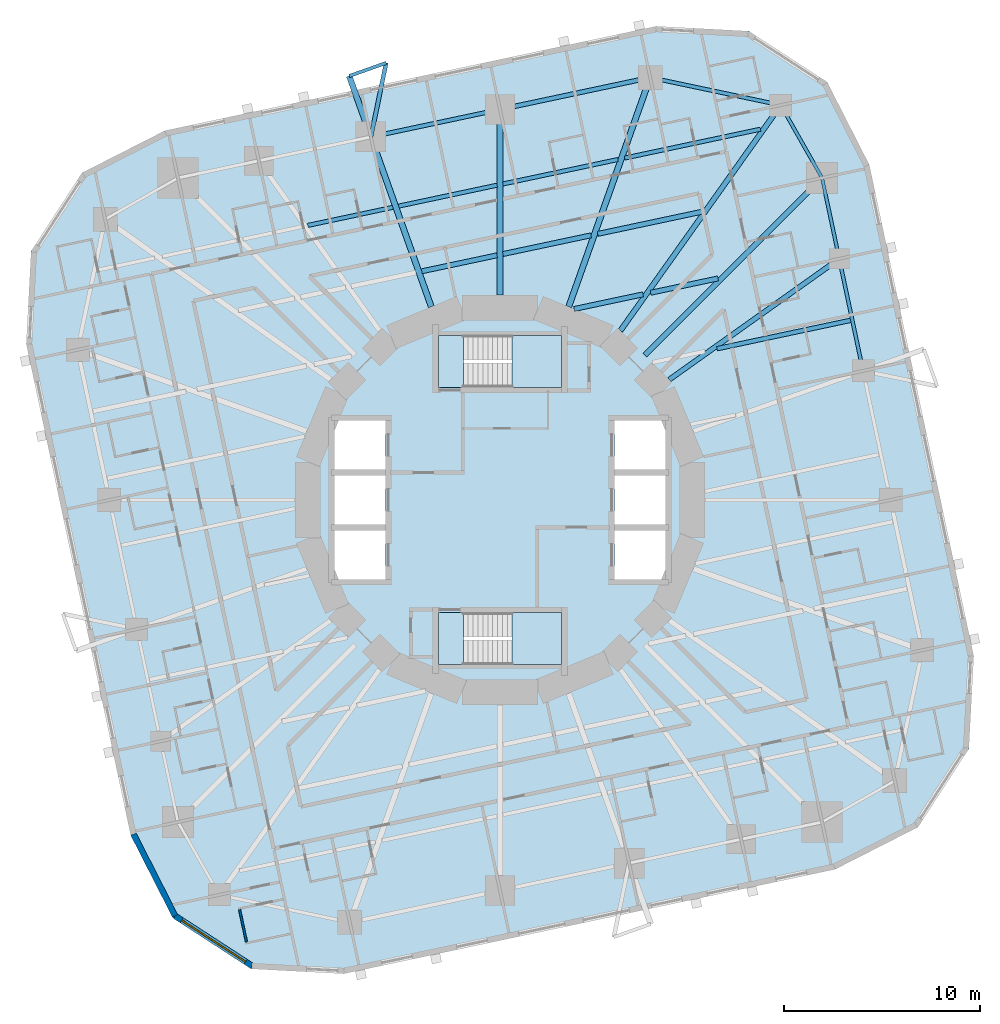
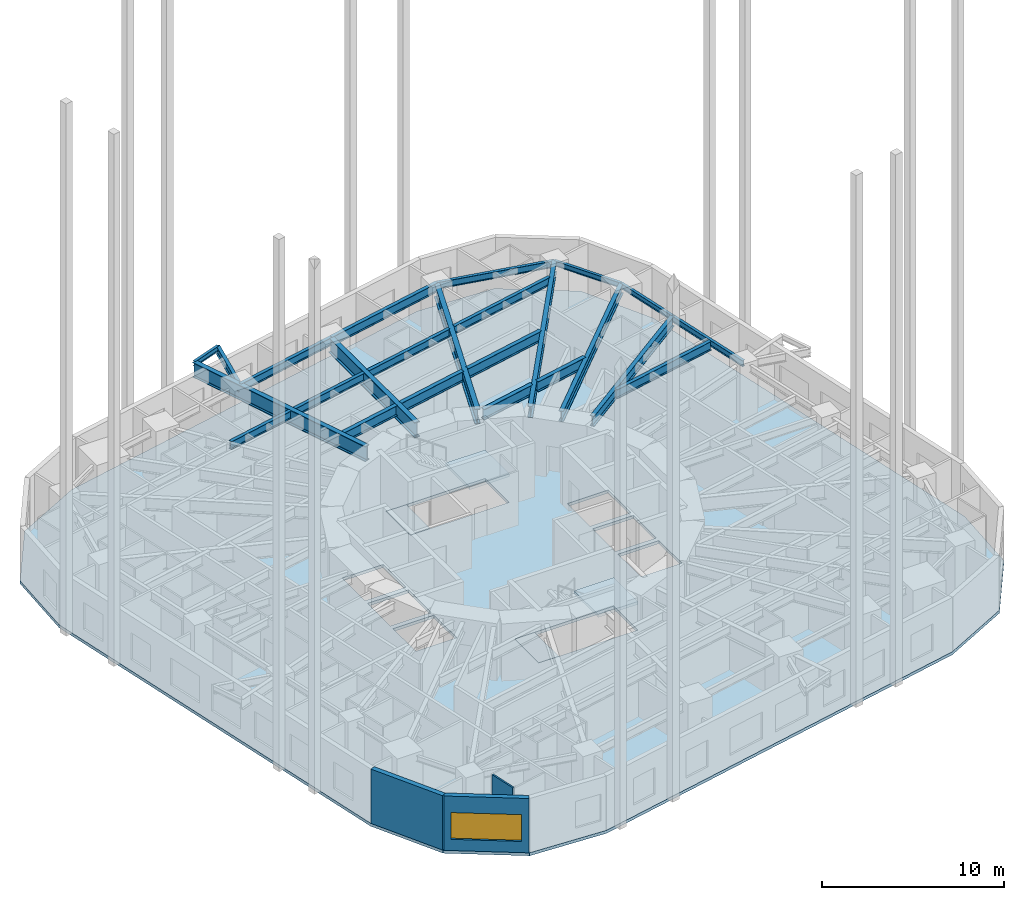
# One storey, part 3 of 12: 24 beams, 5 slabs, 3 walls, 1 window, 1 opening, 2 elements without a shape of their own.
"""IFC4 building model written with IfcOpenShell, lengths in metres."""

from ifc_helpers import new_model, si_unit, direction, frame, frame_2d, origin, origin_2d, place, context, subcontext, project, spatial, polyline, rectangle, i_section, outline, extrude, material, layer, layer_set, material_profile, profile_set, type_object, element, fill, aggregate, save


model = new_model("IFC4")

# Units and contexts
model_context = context("Model", 3, precision=1e-05, world=origin(), true_north=direction((0.0, 1.0)))
body_context = subcontext(model_context, "Body", "Model", "MODEL_VIEW")
ifc_project = project(units=[si_unit("LENGTHUNIT", "METRE"), si_unit("AREAUNIT", "SQUARE_METRE"), si_unit("VOLUMEUNIT", "CUBIC_METRE"), si_unit("PLANEANGLEUNIT", "RADIAN"), si_unit("MASSUNIT", "GRAM", prefix="KILO")], contexts=[model_context])

# Site, building, storey
site_placement = place(None, origin())
site = spatial("IfcSite", under=ifc_project, at=site_placement, CompositionType="ELEMENT")
building_placement = place(site_placement, origin())
building = spatial("IfcBuilding", under=site, at=building_placement, Name="Nakasero Lantern House", CompositionType="ELEMENT")
storey_placement = place(building_placement, frame((0.0, 0.0, 101.14990234375)))
storey = spatial("IfcBuildingStorey", under=building, at=storey_placement, Name="L24", CompositionType="ELEMENT", Elevation=101.14990234375)

# Beams
ifc_material_1 = material(Name="Steel S355", Category="steel")
ifc_material_profile_1 = material_profile(ifc_material_1, i_section(OverallWidth=0.2138671875, OverallDepth=0.549072265625, WebThickness=0.0146484375, FlangeThickness=0.023681640625, FilletRadius=0.0126953125, at=origin_2d()), Name="UB 533x210x138")
ifc_profile_set_1 = profile_set([ifc_material_profile_1], Name="Steel S355")
beam_type_1 = type_object("IfcBeamType", Name="Balcony splay beam UB 533x210x138", PredefinedType="BEAM", material=ifc_profile_set_1)
beam_1_placement = place(storey_placement, frame((-6.590087890625, 18.534912109375, 3.37548828125), z_axis=(0.201831438605, 0.979420272605, 0.0), x_axis=(-0.979420272605, 0.201831438605, 0.0)))
element("IfcBeam", 1, at=beam_1_placement, inside=storey, type_object=beam_type_1, Name="Balcony splay beam L25 B3-C10A", PredefinedType="BEAM", context=body_context, shape_type="SweptSolid", body=[
    extrude(i_section(OverallWidth=0.2138671875, OverallDepth=0.549072265625, WebThickness=0.0146484375, FlangeThickness=0.023681640625, FilletRadius=0.0126953125, at=origin_2d()), origin(), (0.0, 0.0, 1.0), 3.858642578125),
])
ifc_material_2 = material(Name="Steel S355", Category="steel")
ifc_material_profile_2 = material_profile(ifc_material_2, i_section(OverallWidth=0.17138671875, OverallDepth=0.35498046875, WebThickness=0.00732421875, FlangeThickness=0.011474609375, FilletRadius=0.01025390625, at=origin_2d()), Name="UB 356x171x51")
ifc_profile_set_2 = profile_set([ifc_material_profile_2], Name="Steel S355")
beam_type_2 = type_object("IfcBeamType", Name="Balcony tie beam UB 356x171x51", PredefinedType="BEAM", material=ifc_profile_set_2)
beam_2_placement = place(storey_placement, frame((-5.811279296875, 22.314208984375, 3.47265625), z_axis=(-0.942196708721, -0.335060236487, 0.0), x_axis=(0.335060236487, -0.942196708721, 0.0)))
element("IfcBeam", 2, at=beam_2_placement, inside=storey, type_object=beam_type_2, Name="Balcony tie beam L25 B3-C10", PredefinedType="BEAM", context=body_context, shape_type="SweptSolid", body=[
    extrude(i_section(OverallWidth=0.17138671875, OverallDepth=0.35498046875, WebThickness=0.00732421875, FlangeThickness=0.011474609375, FilletRadius=0.01025390625, at=origin_2d()), origin(), (0.0, 0.0, 1.0), 2.000244140625),
])
ifc_material_3 = material(Name="Steel S355", Category="steel")
ifc_material_profile_3 = material_profile(ifc_material_3, i_section(OverallWidth=0.2099609375, OverallDepth=0.53662109375, WebThickness=0.0107421875, FlangeThickness=0.017333984375, FilletRadius=0.0126953125, at=origin_2d()), Name="UB 533x210x101")
ifc_profile_set_3 = profile_set([ifc_material_profile_3], Name="Steel S355")
beam_type_3 = type_object("IfcBeamType", Name="Infill beam UB 533x210x101", PredefinedType="JOIST", material=ifc_profile_set_3)
beam_3_placement = place(storey_placement, frame((-9.810302734375, 14.0166015625, 3.3818359375), z_axis=(0.978147380557, 0.207912726665, 0.0), x_axis=(-0.207912726665, 0.978147380557, 0.0)))
element("IfcBeam", 3, at=beam_3_placement, inside=storey, type_object=beam_type_3, Name="Infill beam L25 12.4", PredefinedType="JOIST", context=body_context, shape_type="SweptSolid", body=[
    extrude(i_section(OverallWidth=0.2099609375, OverallDepth=0.53662109375, WebThickness=0.0107421875, FlangeThickness=0.017333984375, FilletRadius=0.0126953125, at=origin_2d()), origin(), (0.0, 0.0, 1.0), 4.436279296875),
])
beam_4_placement = place(storey_placement, frame((-5.1748046875, 15.001953125, 3.3818359375), z_axis=(0.978150996649, 0.20789571365, 0.0), x_axis=(-0.20789571365, 0.978150996649, 0.0)))
element("IfcBeam", 4, at=beam_4_placement, inside=storey, type_object=beam_type_3, Name="Infill beam L25 12.5", PredefinedType="JOIST", context=body_context, shape_type="SweptSolid", body=[
    extrude(i_section(OverallWidth=0.2099609375, OverallDepth=0.53662109375, WebThickness=0.0107421875, FlangeThickness=0.017333984375, FilletRadius=0.0126953125, at=origin_2d()), origin(), (0.0, 0.0, 1.0), 5.135498046875),
])
beam_5_placement = place(storey_placement, frame((0.151611328125, 16.134033203125, 3.3818359375), z_axis=(0.97814819896, 0.207908876365, 0.0), x_axis=(-0.207908876365, 0.97814819896, 0.0)))
element("IfcBeam", 5, at=beam_5_placement, inside=storey, type_object=beam_type_3, Name="Infill beam L25 12.6", PredefinedType="JOIST", context=body_context, shape_type="SweptSolid", body=[
    extrude(i_section(OverallWidth=0.2099609375, OverallDepth=0.53662109375, WebThickness=0.0107421875, FlangeThickness=0.017333984375, FilletRadius=0.0126953125, at=origin_2d()), origin(), (0.0, 0.0, 1.0), 6.00048828125),
])
beam_6_placement = place(storey_placement, frame((6.365478515625, 17.454833984375, 3.3818359375), z_axis=(0.978149480204, 0.207902848411, 0.0), x_axis=(-0.207902848411, 0.978149480204, 0.0)))
element("IfcBeam", 6, at=beam_6_placement, inside=storey, type_object=beam_type_3, Name="Infill beam L25 12.7", PredefinedType="JOIST", context=body_context, shape_type="SweptSolid", body=[
    extrude(i_section(OverallWidth=0.2099609375, OverallDepth=0.53662109375, WebThickness=0.0107421875, FlangeThickness=0.017333984375, FilletRadius=0.0126953125, at=origin_2d()), origin(), (0.0, 0.0, 1.0), 7.085693359375),
])
ifc_material_4 = material(Name="Steel S355", Category="steel")
ifc_material_profile_4 = material_profile(ifc_material_4, i_section(OverallWidth=0.2275390625, OverallDepth=0.6025390625, WebThickness=0.010498046875, FlangeThickness=0.014892578125, FilletRadius=0.0126953125, at=origin_2d()), Name="UB 610x229x101")
ifc_profile_set_4 = profile_set([ifc_material_profile_4], Name="Steel S355")
beam_type_4 = type_object("IfcBeamType", Name="Infill beam UB 610x229x101", PredefinedType="JOIST", material=ifc_profile_set_4)
beam_7_placement = place(storey_placement, frame((11.077880859375, 7.721923828125, 3.348876953125), z_axis=(0.978143535939, 0.207930813255, 0.0), x_axis=(-0.207930813255, 0.978143535939, 0.0)))
element("IfcBeam", 7, at=beam_7_placement, inside=storey, type_object=beam_type_4, Name="Infill beam L25 09.3", PredefinedType="JOIST", context=body_context, shape_type="SweptSolid", body=[
    extrude(i_section(OverallWidth=0.2275390625, OverallDepth=0.6025390625, WebThickness=0.010498046875, FlangeThickness=0.014892578125, FilletRadius=0.0126953125, at=origin_2d()), origin(), (0.0, 0.0, 1.0), 6.9697265625),
])
ifc_material_5 = material(Name="Steel S355", Category="steel")
ifc_material_profile_5 = material_profile(ifc_material_5, i_section(OverallWidth=0.253662109375, OverallDepth=0.68359375, WebThickness=0.012451171875, FlangeThickness=0.01904296875, FilletRadius=0.01513671875, at=origin_2d()), Name="UB 686x254x140")
ifc_profile_set_5 = profile_set([ifc_material_profile_5], Name="Steel S355")
beam_type_5 = type_object("IfcBeamType", Name="Infill beam UB 686x254x140", PredefinedType="JOIST", material=ifc_profile_set_5)
beam_8_placement = place(storey_placement, frame((-3.991943359375, 11.675048828125, 3.308349609375), z_axis=(0.978141463351, 0.207940562838, 0.0), x_axis=(-0.207940562838, 0.978141463351, 0.0)))
element("IfcBeam", 8, at=beam_8_placement, inside=storey, type_object=beam_type_5, Name="Infill beam L25 11.4", PredefinedType="JOIST", context=body_context, shape_type="SweptSolid", body=[
    extrude(i_section(OverallWidth=0.253662109375, OverallDepth=0.68359375, WebThickness=0.012451171875, FlangeThickness=0.01904296875, FilletRadius=0.01513671875, at=origin_2d()), origin(), (0.0, 0.0, 1.0), 3.92626953125),
])
beam_9_placement = place(storey_placement, frame((0.151611328125, 12.555908203125, 3.308349609375), z_axis=(0.978146422144, 0.20791723557, 0.0), x_axis=(-0.20791723557, 0.978146422144, 0.0)))
element("IfcBeam", 9, at=beam_9_placement, inside=storey, type_object=beam_type_5, Name="Infill beam L25 11.5", PredefinedType="JOIST", context=body_context, shape_type="SweptSolid", body=[
    extrude(i_section(OverallWidth=0.253662109375, OverallDepth=0.68359375, WebThickness=0.012451171875, FlangeThickness=0.01904296875, FilletRadius=0.01513671875, at=origin_2d()), origin(), (0.0, 0.0, 1.0), 4.593505859375),
])
beam_10_placement = place(storey_placement, frame((4.989013671875, 13.584228515625, 3.308349609375), z_axis=(0.978155764637, 0.207873278962, 0.0), x_axis=(-0.207873278962, 0.978155764637, 0.0)))
element("IfcBeam", 10, at=beam_10_placement, inside=storey, type_object=beam_type_5, Name="Infill beam L25 11.6", PredefinedType="JOIST", context=body_context, shape_type="SweptSolid", body=[
    extrude(i_section(OverallWidth=0.253662109375, OverallDepth=0.68359375, WebThickness=0.012451171875, FlangeThickness=0.01904296875, FilletRadius=0.01513671875, at=origin_2d()), origin(), (0.0, 0.0, 1.0), 5.428466796875),
])
ifc_material_6 = material(Name="Steel S355", Category="steel")
ifc_material_profile_6 = material_profile(ifc_material_6, i_section(OverallWidth=0.255859375, OverallDepth=0.69287109375, WebThickness=0.014404296875, FlangeThickness=0.023681640625, FilletRadius=0.01513671875, at=origin_2d()), Name="UB 686x254x170")
ifc_profile_set_6 = profile_set([ifc_material_profile_6], Name="Steel S355")
beam_type_6 = type_object("IfcBeamType", Name="Infill beam UB 686x254x170", PredefinedType="JOIST", material=ifc_profile_set_6)
beam_11_placement = place(storey_placement, frame((3.78759765625, 9.75048828125, 3.3037109375), z_axis=(0.978149176892, 0.207904275439, 0.0), x_axis=(-0.207904275439, 0.978149176892, 0.0)))
element("IfcBeam", 11, at=beam_11_placement, inside=storey, type_object=beam_type_6, Name="Infill beam L25 10.4", PredefinedType="JOIST", context=body_context, shape_type="SweptSolid", body=[
    extrude(i_section(OverallWidth=0.255859375, OverallDepth=0.69287109375, WebThickness=0.014404296875, FlangeThickness=0.023681640625, FilletRadius=0.01513671875, at=origin_2d()), origin(), (0.0, 0.0, 1.0), 3.59228515625),
])
beam_12_placement = place(storey_placement, frame((7.686767578125, 10.579345703125, 3.3037109375), z_axis=(0.978149156314, 0.207904372253, 0.0), x_axis=(-0.207904372253, 0.978149156314, 0.0)))
element("IfcBeam", 12, at=beam_12_placement, inside=storey, type_object=beam_type_6, Name="Infill beam L25 10.5", PredefinedType="JOIST", context=body_context, shape_type="SweptSolid", body=[
    extrude(i_section(OverallWidth=0.255859375, OverallDepth=0.69287109375, WebThickness=0.014404296875, FlangeThickness=0.023681640625, FilletRadius=0.01513671875, at=origin_2d()), origin(), (0.0, 0.0, 1.0), 3.5205078125),
])
ifc_material_7 = material(Name="Steel S355", Category="steel")
ifc_material_profile_7 = material_profile(ifc_material_7, i_section(OverallWidth=0.300048828125, OverallDepth=0.989990234375, WebThickness=0.0166015625, FlangeThickness=0.031005859375, FilletRadius=0.030029296875, at=origin_2d()), Name="UB 1016x305x272")
ifc_profile_set_7 = profile_set([ifc_material_profile_7], Name="Steel S355")
beam_type_7 = type_object("IfcBeamType", Name="Primary beam UB 1016x305x272, span 12 to 15 m", PredefinedType="BEAM", material=ifc_profile_set_7)
beam_13_placement = place(storey_placement, frame((7.667724609375, 21.5654296875, 3.155029296875), z_axis=(-0.335011995103, -0.942213862739, 0.0), x_axis=(0.942213862739, -0.335011995103, 0.0)))
element("IfcBeam", 13, at=beam_13_placement, inside=storey, type_object=beam_type_7, Name="Primary beam L25 B3-C08", PredefinedType="BEAM", context=body_context, shape_type="SweptSolid", body=[
    extrude(i_section(OverallWidth=0.300048828125, OverallDepth=0.989990234375, WebThickness=0.0166015625, FlangeThickness=0.031005859375, FilletRadius=0.030029296875, at=origin_2d()), origin(), (0.0, 0.0, 1.0), 12.41650390625),
])
ifc_material_8 = material(Name="Steel S355", Category="steel")
ifc_material_profile_8 = material_profile(ifc_material_8, i_section(OverallWidth=0.300048828125, OverallDepth=1.0, WebThickness=0.01904296875, FlangeThickness=0.035888671875, FilletRadius=0.030029296875, at=origin_2d()), Name="UB 1016x305x314")
ifc_profile_set_8 = profile_set([ifc_material_profile_8], Name="Steel S355")
beam_type_8 = type_object("IfcBeamType", Name="Primary beam UB 1016x305x314, span 9 to 12 m", PredefinedType="BEAM", material=ifc_profile_set_8)
beam_14_placement = place(storey_placement, frame((-7.69580078125, 21.64404296875, 3.150146484375), z_axis=(0.335020841845, -0.942210717159, 0.0), x_axis=(0.942210717159, 0.335020841845, 0.0)))
element("IfcBeam", 14, at=beam_14_placement, inside=storey, type_object=beam_type_8, Name="Primary beam L25 B3-C10", PredefinedType="BEAM", context=body_context, shape_type="SweptSolid", body=[
    extrude(i_section(OverallWidth=0.300048828125, OverallDepth=1.0, WebThickness=0.01904296875, FlangeThickness=0.035888671875, FilletRadius=0.030029296875, at=origin_2d()), origin(), (0.0, 0.0, 1.0), 12.5),
])
ifc_material_9 = material(Name="Steel S355", Category="steel")
ifc_material_profile_9 = material_profile(ifc_material_9, i_section(OverallWidth=0.302978515625, OverallDepth=1.015869140625, WebThickness=0.0244140625, FlangeThickness=0.0439453125, FilletRadius=0.030029296875, at=origin_2d()), Name="UB 1016x305x393")
ifc_profile_set_9 = profile_set([ifc_material_profile_9], Name="Steel S355")
beam_type_9 = type_object("IfcBeamType", Name="Primary beam UB 1016x305x393, span 9 to 12 m", PredefinedType="BEAM", material=ifc_profile_set_9)
beam_15_placement = place(storey_placement, frame((0.0, 19.935546875, 3.14208984375), z_axis=(0.0, -1.0, 0.0), x_axis=(1.0, 0.0, 0.0)))
element("IfcBeam", 15, at=beam_15_placement, inside=storey, type_object=beam_type_9, Name="Primary beam L25 B3-C09", PredefinedType="BEAM", context=body_context, shape_type="SweptSolid", body=[
    extrude(i_section(OverallWidth=0.302978515625, OverallDepth=1.015869140625, WebThickness=0.0244140625, FlangeThickness=0.0439453125, FilletRadius=0.030029296875, at=origin_2d()), origin(), (0.0, 0.0, 1.0), 9.477783203125),
])
ifc_material_10 = material(Name="Steel S355", Category="steel")
ifc_material_profile_10 = material_profile(ifc_material_10, i_section(OverallWidth=0.253662109375, OverallDepth=0.68359375, WebThickness=0.012451171875, FlangeThickness=0.01904296875, FilletRadius=0.01513671875, at=origin_2d()), Name="UB 686x254x140")
ifc_profile_set_10 = profile_set([ifc_material_profile_10], Name="Steel S355")
beam_type_10 = type_object("IfcBeamType", Name="Primary beam UB 686x254x140, span 9 to 12 m", PredefinedType="BEAM", material=ifc_profile_set_10)
beam_16_placement = place(storey_placement, frame((17.318115234375, 12.31494140625, 3.308349609375), z_axis=(-0.814957491022, -0.579520739774, 0.0), x_axis=(0.579520739774, -0.814957491022, 0.0)))
element("IfcBeam", 16, at=beam_16_placement, inside=storey, type_object=beam_type_10, Name="Primary beam L25 B3-C05", PredefinedType="BEAM", context=body_context, shape_type="SweptSolid", body=[
    extrude(i_section(OverallWidth=0.253662109375, OverallDepth=0.68359375, WebThickness=0.012451171875, FlangeThickness=0.01904296875, FilletRadius=0.01513671875, at=origin_2d()), origin(), (0.0, 0.0, 1.0), 10.64453125),
])
ifc_material_11 = material(Name="Steel S355", Category="steel")
ifc_material_profile_11 = material_profile(ifc_material_11, i_section(OverallWidth=0.255859375, OverallDepth=0.69287109375, WebThickness=0.014404296875, FlangeThickness=0.023681640625, FilletRadius=0.01513671875, at=origin_2d()), Name="UB 686x254x170")
ifc_profile_set_11 = profile_set([ifc_material_profile_11], Name="Steel S355")
beam_type_11 = type_object("IfcBeamType", Name="Primary beam UB 686x254x170, span 12 to 15 m", PredefinedType="BEAM", material=ifc_profile_set_11)
beam_17_placement = place(storey_placement, frame((16.44091796875, 16.44091796875, 3.3037109375), z_axis=(-0.707106781187, -0.707106781187, 0.0), x_axis=(0.707106781187, -0.707106781187, 0.0)))
element("IfcBeam", 17, at=beam_17_placement, inside=storey, type_object=beam_type_11, Name="Primary beam L25 B3-C06", PredefinedType="BEAM", context=body_context, shape_type="SweptSolid", body=[
    extrude(i_section(OverallWidth=0.255859375, OverallDepth=0.69287109375, WebThickness=0.014404296875, FlangeThickness=0.023681640625, FilletRadius=0.01513671875, at=origin_2d()), origin(), (0.0, 0.0, 1.0), 12.793212890625),
])
ifc_material_12 = material(Name="Steel S355", Category="steel")
ifc_material_profile_12 = material_profile(ifc_material_12, i_section(OverallWidth=0.2666015625, OverallDepth=0.76220703125, WebThickness=0.014404296875, FlangeThickness=0.021484375, FilletRadius=0.0166015625, at=origin_2d()), Name="UB 762x267x173")
ifc_profile_set_12 = profile_set([ifc_material_profile_12], Name="Steel S355")
beam_type_12 = type_object("IfcBeamType", Name="Primary beam UB 762x267x173, span 12 to 15 m", PredefinedType="BEAM", material=ifc_profile_set_12)
beam_18_placement = place(storey_placement, frame((14.33349609375, 20.15625, 3.26904296875), z_axis=(-0.57953679421, -0.814946074386, 0.0), x_axis=(0.814946074386, -0.57953679421, 0.0)))
element("IfcBeam", 18, at=beam_18_placement, inside=storey, type_object=beam_type_12, Name="Primary beam L25 B3-C07", PredefinedType="BEAM", context=body_context, shape_type="SweptSolid", body=[
    extrude(i_section(OverallWidth=0.2666015625, OverallDepth=0.76220703125, WebThickness=0.014404296875, FlangeThickness=0.021484375, FilletRadius=0.0166015625, at=origin_2d()), origin(), (0.0, 0.0, 1.0), 14.127197265625),
])
ifc_material_13 = material(Name="Steel S355", Category="steel")
ifc_material_profile_13 = material_profile(ifc_material_13, i_section(OverallWidth=0.17138671875, OverallDepth=0.35498046875, WebThickness=0.00732421875, FlangeThickness=0.011474609375, FilletRadius=0.01025390625, at=origin_2d()), Name="UB 356x171x51")
ifc_profile_set_13 = profile_set([ifc_material_profile_13], Name="Steel S355")
beam_type_13 = type_object("IfcBeamType", Name="Ring beam UB 356x171x51", PredefinedType="BEAM", material=ifc_profile_set_13)
beam_19_placement = place(storey_placement, frame((17.318115234375, 12.31494140625, 3.47265625), z_axis=(-0.207955665195, 0.978138252658, 0.0), x_axis=(-0.978138252658, -0.207955665195, 0.0)))
element("IfcBeam", 19, at=beam_19_placement, inside=storey, type_object=beam_type_13, Name="Ring beam L25 B3-C05", PredefinedType="BEAM", context=body_context, shape_type="SweptSolid", body=[
    extrude(i_section(OverallWidth=0.17138671875, OverallDepth=0.35498046875, WebThickness=0.00732421875, FlangeThickness=0.011474609375, FilletRadius=0.01025390625, at=origin_2d()), origin(), (0.0, 0.0, 1.0), 4.21826171875),
])
beam_20_placement = place(storey_placement, frame((16.44091796875, 16.44091796875, 3.47265625), z_axis=(-0.493378832737, 0.869814536213, 0.0), x_axis=(-0.869814536213, -0.493378832737, 0.0)))
element("IfcBeam", 20, at=beam_20_placement, inside=storey, type_object=beam_type_13, Name="Ring beam L25 B3-C06", PredefinedType="BEAM", context=body_context, shape_type="SweptSolid", body=[
    extrude(i_section(OverallWidth=0.17138671875, OverallDepth=0.35498046875, WebThickness=0.00732421875, FlangeThickness=0.011474609375, FilletRadius=0.01025390625, at=origin_2d()), origin(), (0.0, 0.0, 1.0), 4.271484375),
])
ifc_material_14 = material(Name="Steel S355", Category="steel")
ifc_material_profile_14 = material_profile(ifc_material_14, i_section(OverallWidth=0.177978515625, OverallDepth=0.406494140625, WebThickness=0.0078125, FlangeThickness=0.0126953125, FilletRadius=0.01025390625, at=origin_2d()), Name="UB 406x178x60")
ifc_profile_set_14 = profile_set([ifc_material_profile_14], Name="Steel S355")
beam_type_14 = type_object("IfcBeamType", Name="Ring beam UB 406x178x60", PredefinedType="BEAM", material=ifc_profile_set_14)
beam_21_placement = place(storey_placement, frame((18.534912109375, 6.590087890625, 3.44677734375), z_axis=(-0.207902159541, 0.978149626621, 0.0), x_axis=(-0.978149626621, -0.207902159541, 0.0)))
element("IfcBeam", 21, at=beam_21_placement, inside=storey, type_object=beam_type_14, Name="Ring beam L25 B3-C04", PredefinedType="BEAM", context=body_context, shape_type="SweptSolid", body=[
    extrude(i_section(OverallWidth=0.177978515625, OverallDepth=0.406494140625, WebThickness=0.0078125, FlangeThickness=0.0126953125, FilletRadius=0.01025390625, at=origin_2d()), origin(), (0.0, 0.0, 1.0), 5.852783203125),
])
ifc_material_15 = material(Name="Steel S355", Category="steel")
ifc_material_profile_15 = material_profile(ifc_material_15, i_section(OverallWidth=0.18994140625, OverallDepth=0.453369140625, WebThickness=0.008544921875, FlangeThickness=0.0126953125, FilletRadius=0.01025390625, at=origin_2d()), Name="UB 457x191x67")
ifc_profile_set_15 = profile_set([ifc_material_profile_15], Name="Steel S355")
beam_type_15 = type_object("IfcBeamType", Name="Ring beam UB 457x191x67", PredefinedType="BEAM", material=ifc_profile_set_15)
beam_22_placement = place(storey_placement, frame((14.33349609375, 20.15625, 3.42333984375), z_axis=(-0.978376066473, 0.206833925052, 0.0), x_axis=(-0.206833925052, -0.978376066473, 0.0)))
element("IfcBeam", 22, at=beam_22_placement, inside=storey, type_object=beam_type_15, Name="Ring beam L25 B3-C07", PredefinedType="BEAM", context=body_context, shape_type="SweptSolid", body=[
    extrude(i_section(OverallWidth=0.18994140625, OverallDepth=0.453369140625, WebThickness=0.008544921875, FlangeThickness=0.0126953125, FilletRadius=0.01025390625, at=origin_2d()), origin(), (0.0, 0.0, 1.0), 6.81298828125),
])
ifc_material_16 = material(Name="Steel S355", Category="steel")
ifc_material_profile_16 = material_profile(ifc_material_16, i_section(OverallWidth=0.2099609375, OverallDepth=0.53662109375, WebThickness=0.0107421875, FlangeThickness=0.017333984375, FilletRadius=0.0126953125, at=origin_2d()), Name="UB 533x210x101")
ifc_profile_set_16 = profile_set([ifc_material_profile_16], Name="Steel S355")
beam_type_16 = type_object("IfcBeamType", Name="Ring beam UB 533x210x101", PredefinedType="BEAM", material=ifc_profile_set_16)
beam_23_placement = place(storey_placement, frame((0.0, 19.935546875, 3.3818359375), z_axis=(-0.978151574702, -0.20789299389, 0.0), x_axis=(0.20789299389, -0.978151574702, 0.0)))
element("IfcBeam", 23, at=beam_23_placement, inside=storey, type_object=beam_type_16, Name="Ring beam L25 B3-C09", PredefinedType="BEAM", context=body_context, shape_type="SweptSolid", body=[
    extrude(i_section(OverallWidth=0.2099609375, OverallDepth=0.53662109375, WebThickness=0.0107421875, FlangeThickness=0.017333984375, FilletRadius=0.0126953125, at=origin_2d()), origin(), (0.0, 0.0, 1.0), 6.7373046875),
])
ifc_material_17 = material(Name="Steel S355", Category="steel")
ifc_material_profile_17 = material_profile(ifc_material_17, i_section(OverallWidth=0.22900390625, OverallDepth=0.6123046875, WebThickness=0.011962890625, FlangeThickness=0.01953125, FilletRadius=0.0126953125, at=origin_2d()), Name="UB 610x229x125")
ifc_profile_set_17 = profile_set([ifc_material_profile_17], Name="Steel S355")
beam_type_17 = type_object("IfcBeamType", Name="Ring beam UB 610x229x125", PredefinedType="BEAM", material=ifc_profile_set_17)
beam_24_placement = place(storey_placement, frame((7.667724609375, 21.5654296875, 3.343994140625), z_axis=(-0.978146105516, -0.207918725139, 0.0), x_axis=(0.207918725139, -0.978146105516, 0.0)))
element("IfcBeam", 24, at=beam_24_placement, inside=storey, type_object=beam_type_17, Name="Ring beam L25 B3-C08", PredefinedType="BEAM", context=body_context, shape_type="SweptSolid", body=[
    extrude(i_section(OverallWidth=0.22900390625, OverallDepth=0.6123046875, WebThickness=0.011962890625, FlangeThickness=0.01953125, FilletRadius=0.0126953125, at=origin_2d()), origin(), (0.0, 0.0, 1.0), 7.839111328125),
])

# Slab
ifc_material_18 = material(Name="Concrete C35/45", Category="concrete")
ifc_layer_1 = layer(ifc_material_18, 0.199951171875)
ifc_layer_set_1 = layer_set([ifc_layer_1], Name="Composite floor slab 200")
slab_type_1 = type_object("IfcSlabType", Name="Composite floor slab 200", PredefinedType="FLOOR", material=ifc_layer_set_1)
slab_1_placement = place(storey_placement, frame((0.0, 0.0, -0.199951171875)))
element("IfcSlab", 25, at=slab_1_placement, inside=storey, type_object=slab_type_1, Name="Floor slab L24", PredefinedType="FLOOR", context=body_context, shape_type="SweptSolid", body=[
    extrude(outline(polyline([(18.85791015625, 17.09423828125), (16.696044921875, 21.337646484375), (12.701904296875, 23.931396484375), (7.9462890625, 24.180419921875), (-17.09423828125, 18.85791015625), (-21.337646484375, 16.696044921875), (-23.931396484375, 12.701904296875), (-24.180419921875, 7.9462890625), (-18.85791015625, -17.09423828125), (-16.696044921875, -21.337646484375), (-12.701904296875, -23.931396484375), (-7.9462890625, -24.180419921875), (17.09423828125, -18.85791015625), (21.337646484375, -16.696044921875), (23.931396484375, -12.701904296875), (24.180419921875, -7.9462890625), (18.85791015625, 17.09423828125)]), holes=[polyline([(-8.449951171875, -4.050048828125), (-5.85009765625, -4.050048828125), (-5.85009765625, -1.550048828125), (-8.449951171875, -1.550048828125), (-8.449951171875, -4.050048828125)]), polyline([(-8.449951171875, -1.25), (-5.85009765625, -1.25), (-5.85009765625, 1.25), (-8.449951171875, 1.25), (-8.449951171875, -1.25)]), polyline([(-8.449951171875, 1.550048828125), (-5.85009765625, 1.550048828125), (-5.85009765625, 4.050048828125), (-8.449951171875, 4.050048828125), (-8.449951171875, 1.550048828125)]), polyline([(5.85009765625, -4.050048828125), (8.449951171875, -4.050048828125), (8.449951171875, -1.550048828125), (5.85009765625, -1.550048828125), (5.85009765625, -4.050048828125)]), polyline([(5.85009765625, -1.25), (8.449951171875, -1.25), (8.449951171875, 1.25), (5.85009765625, 1.25), (5.85009765625, -1.25)]), polyline([(5.85009765625, 1.550048828125), (8.449951171875, 1.550048828125), (8.449951171875, 4.050048828125), (5.85009765625, 4.050048828125), (5.85009765625, 1.550048828125)]), polyline([(-3.14990234375, 5.75), (3.14990234375, 5.75), (3.14990234375, 8.39990234375), (-3.14990234375, 8.39990234375), (-3.14990234375, 5.75)]), polyline([(-3.14990234375, -8.39990234375), (3.14990234375, -8.39990234375), (3.14990234375, -5.75), (-3.14990234375, -5.75), (-3.14990234375, -8.39990234375)])]), origin(), (0.0, 0.0, 1.0), 0.199951171875),
])

# Stair, slabs
ifc_material_19 = material(Name="Concrete C40/50", Category="concrete")
stair_type_1 = type_object("IfcStairType", Name="Escape stair ST1 22 risers", PredefinedType="HALF_TURN_STAIR", material=ifc_material_19)
stair_1_placement = place(storey_placement, origin())
stair_1 = element("IfcStair", 26, at=stair_1_placement, inside=storey, type_object=stair_type_1, Name="Escape stair ST1 L24", PredefinedType="HALF_TURN_STAIR")
ifc_material_20 = material(Name="Concrete C40/50", Category="concrete")
ifc_layer_2 = layer(ifc_material_20, 0.199951171875)
ifc_layer_set_2 = layer_set([ifc_layer_2], Name="Stair landing 200")
slab_type_2 = type_object("IfcSlabType", Name="Stair landing 200", PredefinedType="LANDING", material=ifc_layer_set_2)
slab_2_placement = place(storey_placement, frame((0.0, 0.0, -0.199951171875)))
slab_2 = element("IfcSlab", 27, at=slab_2_placement, type_object=slab_type_2, Name="ST1 landing 1", PredefinedType="LANDING", context=body_context, shape_type="SweptSolid", body=[
    extrude(outline(polyline([(-3.14990234375, 5.75), (-1.875, 5.75), (-1.875, 8.39990234375), (-3.14990234375, 8.39990234375), (-3.14990234375, 5.75)])), origin(), (0.0, 0.0, 1.0), 0.199951171875),
])
slab_3_placement = place(storey_placement, frame((0.0, 0.0, 1.72509765625)))
slab_3 = element("IfcSlab", 28, at=slab_3_placement, type_object=slab_type_2, Name="ST1 landing 2", PredefinedType="LANDING", context=body_context, shape_type="SweptSolid", body=[
    extrude(outline(polyline([(0.625, 5.75), (3.14990234375, 5.75), (3.14990234375, 8.39990234375), (0.625, 8.39990234375), (0.625, 5.75)])), origin(), (0.0, 0.0, 1.0), 0.199951171875),
])
aggregate(stair_1, [slab_2, slab_3])

ifc_material_21 = material(Name="Concrete C40/50", Category="concrete")
stair_type_2 = type_object("IfcStairType", Name="Escape stair ST2 22 risers", PredefinedType="HALF_TURN_STAIR", material=ifc_material_21)
stair_2_placement = place(storey_placement, origin())
stair_2 = element("IfcStair", 29, at=stair_2_placement, inside=storey, type_object=stair_type_2, Name="Escape stair ST2 L24", PredefinedType="HALF_TURN_STAIR")
slab_4_placement = place(storey_placement, frame((0.0, 0.0, -0.199951171875)))
slab_4 = element("IfcSlab", 30, at=slab_4_placement, type_object=slab_type_2, Name="ST2 landing 1", PredefinedType="LANDING", context=body_context, shape_type="SweptSolid", body=[
    extrude(outline(polyline([(-3.14990234375, -8.39990234375), (-1.875, -8.39990234375), (-1.875, -5.75), (-3.14990234375, -5.75), (-3.14990234375, -8.39990234375)])), origin(), (0.0, 0.0, 1.0), 0.199951171875),
])
slab_5_placement = place(storey_placement, frame((0.0, 0.0, 1.72509765625)))
slab_5 = element("IfcSlab", 31, at=slab_5_placement, type_object=slab_type_2, Name="ST2 landing 2", PredefinedType="LANDING", context=body_context, shape_type="SweptSolid", body=[
    extrude(outline(polyline([(0.625, -8.39990234375), (3.14990234375, -8.39990234375), (3.14990234375, -5.75), (0.625, -5.75), (0.625, -8.39990234375)])), origin(), (0.0, 0.0, 1.0), 0.199951171875),
])
aggregate(stair_2, [slab_4, slab_5])

# Walls
ifc_material_22 = material(Name="Blockwork", Category="masonry")
ifc_layer_3 = layer(ifc_material_22, 0.10009765625)
ifc_layer_set_3 = layer_set([ifc_layer_3], Name="En-suite wall 100")
wall_type_1 = type_object("IfcWallType", Name="En-suite wall 100", PredefinedType="PARTITIONING", material=ifc_layer_set_3)
wall_1_placement = place(storey_placement, frame((-13.293701171875, -20.906494140625, 0.0), z_axis=(0.0, 0.0, 1.0), x_axis=(0.207812379357, -0.978168704767, 0.0)))
element("IfcWall", 32, at=wall_1_placement, inside=storey, type_object=wall_type_1, Name="En-suite wall L24 EE2-08", PredefinedType="PARTITIONING", context=body_context, shape_type="SweptSolid", body=[
    extrude(rectangle(XDim=1.699951171875, YDim=0.10009765625, at=frame_2d((0.85009765625, 0.0))), origin(), (0.0, 0.0, 1.0), 3.650146484375),
])
ifc_material_23 = material(Name="Aluminium rainscreen on blockwork", Category="masonry")
ifc_layer_4 = layer(ifc_material_23, 0.300048828125)
ifc_layer_set_4 = layer_set([ifc_layer_4], Name="Facade wall 300")
wall_type_2 = type_object("IfcWallType", Name="Facade wall 300", PredefinedType="SOLIDWALL", material=ifc_layer_set_4)
wall_2_placement = place(storey_placement, frame((-18.711181640625, -17.063232421875, 0.0), z_axis=(0.0, 0.0, 1.0), x_axis=(0.453975745332, -0.89101404178, 0.0)))
element("IfcWall", 33, at=wall_2_placement, inside=storey, type_object=wall_type_2, Name="Facade wall L24 FW2C1", PredefinedType="SOLIDWALL", context=body_context, shape_type="SweptSolid", body=[
    extrude(rectangle(XDim=4.6845703125, YDim=0.300048828125, at=frame_2d((2.34228515625, 0.0))), origin(), (0.0, 0.0, 1.0), 3.650146484375),
])

# Wall, opening, window
wall_3_placement = place(storey_placement, frame((-16.58447265625, -21.2373046875, 0.0), z_axis=(0.0, 0.0, 1.0), x_axis=(0.838692381994, -0.544605442853, 0.0)))
wall_3 = element("IfcWall", 34, at=wall_3_placement, inside=storey, type_object=wall_type_2, Name="Facade wall L24 FW2C2", PredefinedType="SOLIDWALL", context=body_context, shape_type="SweptSolid", body=[
    extrude(rectangle(XDim=4.6845703125, YDim=0.300048828125, at=frame_2d((2.34228515625, 0.0))), origin(), (0.0, 0.0, 1.0), 3.650146484375),
])
opening_placement = place(wall_3_placement, frame((0.39990234375, 0.0, 0.75)))
opening = element("IfcOpeningElement", 35, at=opening_placement, cuts=wall_3, Name="Opening W238", PredefinedType="OPENING", context=body_context, shape_type="SweptSolid", body=[
    extrude(rectangle(XDim=3.885009765625, YDim=1.800048828125, at=frame_2d((1.9423828125, 0.89990234375))), frame((0.0, 0.169921875, 0.0), z_axis=(0.0, -1.0, 0.0), x_axis=(1.0, 0.0, 0.0)), (0.0, 0.0, 1.0), 0.340087890625),
])
ifc_material_24 = material(Name="Aluminium 6063-T6 and glass", Category="aluminium")
window_type = type_object("IfcWindowType", Name="Corner window 3885x1800", PartitioningType="SINGLE_PANEL", PredefinedType="WINDOW", material=ifc_material_24)
window_placement = place(opening_placement, origin())
window = element("IfcWindow", 36, at=window_placement, inside=storey, type_object=window_type, Name="Window L24 WC2", OverallHeight=1.800048828125, OverallWidth=3.885009765625, PartitioningType="SINGLE_PANEL", PredefinedType="WINDOW", context=body_context, shape_type="SweptSolid", body=[
    extrude(rectangle(XDim=3.885009765625, YDim=1.800048828125, at=frame_2d((1.9423828125, 0.89990234375))), frame((0.0, 0.030029296875, 0.0), z_axis=(0.0, -1.0, 0.0), x_axis=(1.0, 0.0, 0.0)), (0.0, 0.0, 1.0), 0.06005859375),
])
fill(opening, window)

save(model, "model.ifc")
